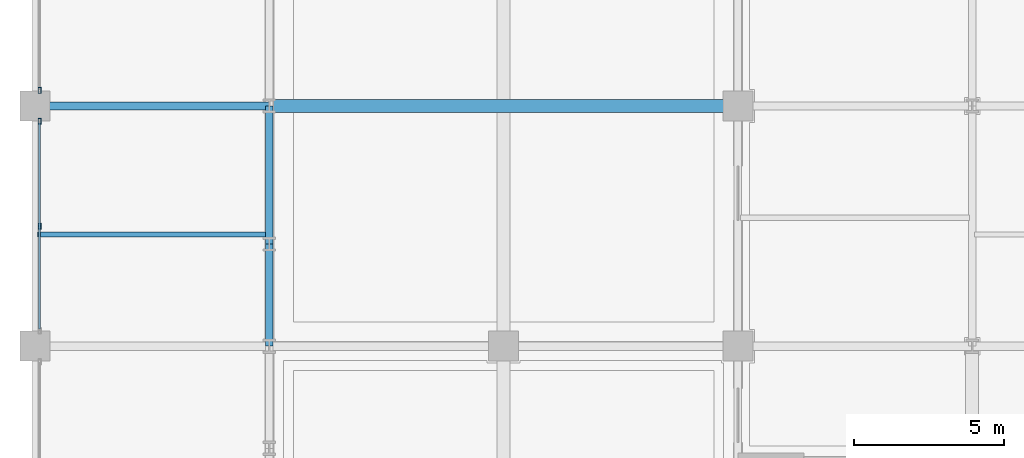
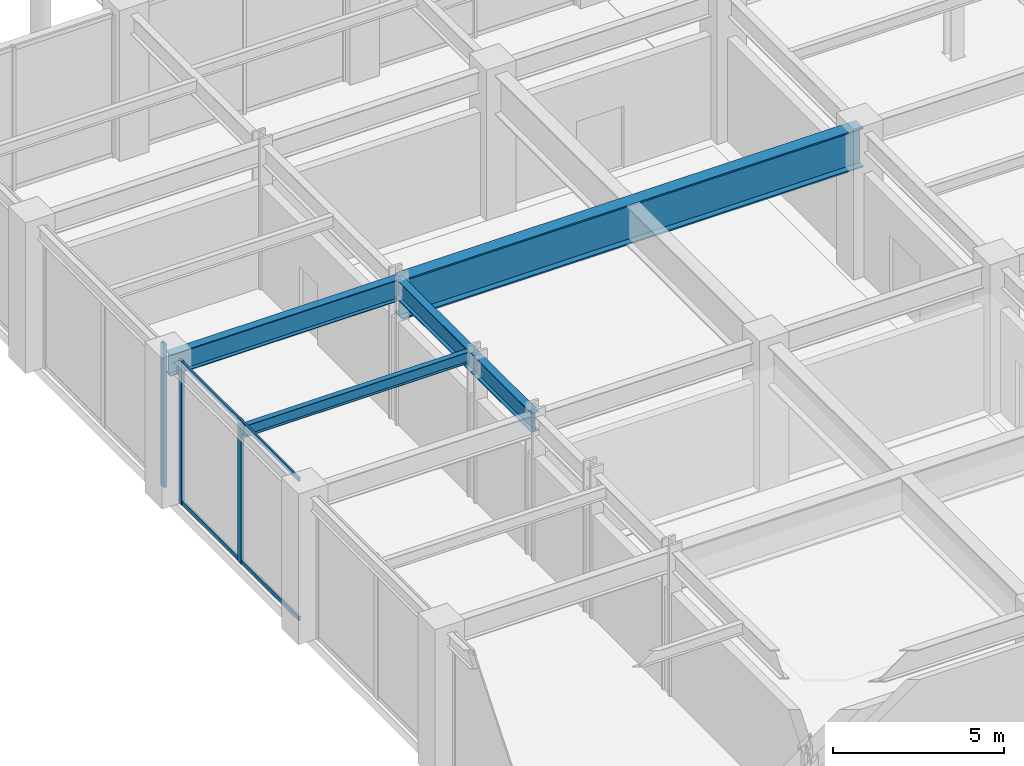
# One storey, part 11 of 27: 5 beams, 5 members, 2 elements without a shape of their own.
"""IFC4 building model written with IfcOpenShell, lengths in metres."""

from ifc_helpers import new_model, si_unit, direction, frame, origin, origin_2d, place, context, subcontext, project, spatial, hollow_rectangle, i_section, extrude, material, layer, layer_set, material_profile, profile_set, type_object, element, aggregate, save


model = new_model("IFC4")

# Units and contexts
model_context = context("Model", 3, precision=1e-05, world=origin(), true_north=direction((0.0, 1.0)))
body_context = subcontext(model_context, "Body", "Model", "MODEL_VIEW")
ifc_project = project(units=[si_unit("LENGTHUNIT", "METRE"), si_unit("AREAUNIT", "SQUARE_METRE"), si_unit("VOLUMEUNIT", "CUBIC_METRE"), si_unit("PLANEANGLEUNIT", "RADIAN"), si_unit("MASSUNIT", "GRAM", prefix="KILO")], contexts=[model_context])

# Site, building, storey
site_placement = place(None, origin())
site = spatial("IfcSite", under=ifc_project, at=site_placement, CompositionType="ELEMENT")
building_placement = place(site_placement, origin())
building = spatial("IfcBuilding", under=site, at=building_placement, Name="Veymaron Broadcast Tower", CompositionType="ELEMENT")
storey_placement = place(building_placement, origin())
storey = spatial("IfcBuildingStorey", under=building, at=storey_placement, Name="L00", CompositionType="ELEMENT", Elevation=0.0)

# Beams
ifc_material_1 = material(Name="Structural steel ASTM A992 Gr 50", Category="steel")
ifc_material_profile_1 = material_profile(ifc_material_1, i_section(OverallWidth=0.177978515625, OverallDepth=0.406982421875, WebThickness=0.0078125, FlangeThickness=0.0126953125, at=origin_2d()), Name="W410X60")
ifc_profile_set_1 = profile_set([ifc_material_profile_1], Name="Structural steel ASTM A992 Gr 50")
beam_type_1 = type_object("IfcBeamType", Name="BM-JS1", PredefinedType="JOIST", material=ifc_profile_set_1)
beam_1_placement = place(storey_placement, frame((0.0849609375, 27.719970703125, 4.91650390625), z_axis=(1.0, 0.0, 0.0), x_axis=(0.0, 1.0, 0.0)))
element("IfcBeam", 1, at=beam_1_placement, inside=storey, type_object=beam_type_1, Name="L00 podium secondary floor joist", PredefinedType="JOIST", context=body_context, shape_type="SweptSolid", body=[
    extrude(i_section(OverallWidth=0.177978515625, OverallDepth=0.406982421875, WebThickness=0.0078125, FlangeThickness=0.0126953125, at=origin_2d()), origin(), (0.0, 0.0, 1.0), 7.630126953125),
])
ifc_material_profile_2 = material_profile(ifc_material_1, i_section(OverallWidth=0.26806640625, OverallDepth=0.77001953125, WebThickness=0.015625, FlangeThickness=0.025390625, at=origin_2d()), Name="W760X196")
ifc_profile_set_2 = profile_set([ifc_material_profile_2], Name="Structural steel ASTM A992 Gr 50")
beam_type_2 = type_object("IfcBeamType", Name="BM-PG1", PredefinedType="BEAM", material=ifc_profile_set_2)
beam_2_placement = place(storey_placement, frame((0.0, 32.0, 4.735107421875), z_axis=(1.0, 0.0, 0.0), x_axis=(0.0, 1.0, 0.0)))
element("IfcBeam", 2, at=beam_2_placement, inside=storey, type_object=beam_type_2, Name="L00 podium primary X-girder", PredefinedType="BEAM", context=body_context, shape_type="SweptSolid", body=[
    extrude(i_section(OverallWidth=0.26806640625, OverallDepth=0.77001953125, WebThickness=0.015625, FlangeThickness=0.025390625, at=origin_2d()), origin(), (0.0, 0.0, 1.0), 7.800048828125),
])
ifc_material_profile_3 = material_profile(ifc_material_1, i_section(OverallWidth=0.256103515625, OverallDepth=0.693115234375, WebThickness=0.014404296875, FlangeThickness=0.023681640625, at=origin_2d()), Name="W690X170")
ifc_profile_set_3 = profile_set([ifc_material_profile_3], Name="Structural steel ASTM A992 Gr 50")
beam_type_3 = type_object("IfcBeamType", Name="BM-PG2", PredefinedType="BEAM", material=ifc_profile_set_3)
beam_3_placement = place(storey_placement, frame((7.800048828125, 24.0, 4.7734375), z_axis=(0.0, 1.0, 0.0), x_axis=(-1.0, 0.0, 0.0)))
element("IfcBeam", 3, at=beam_3_placement, inside=storey, type_object=beam_type_3, Name="L00 podium primary Y-girder", PredefinedType="BEAM", context=body_context, shape_type="SweptSolid", body=[
    extrude(i_section(OverallWidth=0.256103515625, OverallDepth=0.693115234375, WebThickness=0.014404296875, FlangeThickness=0.023681640625, at=origin_2d()), origin(), (0.0, 0.0, 1.0), 3.39990234375),
])
beam_4_placement = place(storey_placement, frame((7.800048828125, 27.39990234375, 4.7734375), z_axis=(0.0, 1.0, 0.0), x_axis=(-1.0, 0.0, 0.0)))
element("IfcBeam", 4, at=beam_4_placement, inside=storey, type_object=beam_type_3, Name="L00 podium primary Y-girder", PredefinedType="BEAM", context=body_context, shape_type="SweptSolid", body=[
    extrude(i_section(OverallWidth=0.256103515625, OverallDepth=0.693115234375, WebThickness=0.014404296875, FlangeThickness=0.023681640625, at=origin_2d()), origin(), (0.0, 0.0, 1.0), 4.60009765625),
])
ifc_material_2 = material(Name="Structural steel ASTM A913 Gr 65", Category="steel")
ifc_material_profile_4 = material_profile(ifc_material_2, i_section(OverallWidth=0.429931640625, OverallDepth=1.419921875, WebThickness=0.030029296875, FlangeThickness=0.050048828125, at=origin_2d()), Name="W1400X550")
ifc_profile_set_4 = profile_set([ifc_material_profile_4], Name="Structural steel ASTM A913 Gr 65")
beam_type_4 = type_object("IfcBeamType", Name="BM-TG0", PredefinedType="BEAM", material=ifc_profile_set_4)
beam_5_placement = place(storey_placement, frame((7.800048828125, 32.0, 4.409912109375), z_axis=(1.0, 0.0, 0.0), x_axis=(0.0, 1.0, 0.0)))
element("IfcBeam", 5, at=beam_5_placement, inside=storey, type_object=beam_type_4, Name="L00 podium primary X-girder", PredefinedType="BEAM", context=body_context, shape_type="SweptSolid", body=[
    extrude(i_section(OverallWidth=0.429931640625, OverallDepth=1.419921875, WebThickness=0.030029296875, FlangeThickness=0.050048828125, at=origin_2d()), origin(), (0.0, 0.0, 1.0), 15.599853515625),
])

# Curtain wall, members
ifc_material_3 = material(Name="Anodised aluminium AA 6063-T6 and laminated low-E dark glass", Category="aluminium")
ifc_layer = layer(ifc_material_3, 0.179931640625)
ifc_layer_set = layer_set([ifc_layer], Name="Anodised aluminium AA 6063-T6 and laminated low-E dark glass")
curtain_wall_type = type_object("IfcCurtainWallType", Name="CW-SYS-01", PredefinedType="NOTDEFINED", material=ifc_layer_set)
curtain_wall_1_placement = place(storey_placement, origin())
curtain_wall_1 = element("IfcCurtainWall", 6, at=curtain_wall_1_placement, inside=storey, type_object=curtain_wall_type, Name="L00 dark-glass curtain wall CW-L00-08", PredefinedType="NOTDEFINED")
ifc_material_4 = material(Name="Anodised aluminium AA 6063-T6", Category="aluminium")
ifc_material_profile_5 = material_profile(ifc_material_4, hollow_rectangle(XDim=0.10009765625, YDim=0.199951171875, WallThickness=0.010009765625, at=origin_2d()), Name="RHS200X100X10")
ifc_profile_set_5 = profile_set([ifc_material_profile_5], Name="Anodised aluminium AA 6063-T6")
member_type_1 = type_object("IfcMemberType", Name="CW-MUL-01", PredefinedType="MULLION", material=ifc_profile_set_5)
member_1_placement = place(storey_placement, frame((0.14990234375, 28.0, 0.0), z_axis=(0.0, 0.0, 1.0), x_axis=(1.0, 0.0, 0.0)))
member_1 = element("IfcMember", 7, at=member_1_placement, type_object=member_type_1, Name="CW-L00-08 mullion 1", PredefinedType="MULLION", context=body_context, shape_type="SweptSolid", body=[
    extrude(hollow_rectangle(XDim=0.10009765625, YDim=0.199951171875, WallThickness=0.010009765625, at=origin_2d()), origin(), (0.0, 0.0, 1.0), 5.1201171875),
])
member_2_placement = place(storey_placement, frame((0.14990234375, 31.48193359375, 0.0), z_axis=(0.0, 0.0, 1.0), x_axis=(1.0, 0.0, 0.0)))
member_2 = element("IfcMember", 8, at=member_2_placement, type_object=member_type_1, Name="CW-L00-08 mullion 2", PredefinedType="MULLION", context=body_context, shape_type="SweptSolid", body=[
    extrude(hollow_rectangle(XDim=0.10009765625, YDim=0.199951171875, WallThickness=0.010009765625, at=origin_2d()), origin(), (0.0, 0.0, 1.0), 5.1201171875),
])

# Curtain wall, member
curtain_wall_2_placement = place(storey_placement, origin())
curtain_wall_2 = element("IfcCurtainWall", 9, at=curtain_wall_2_placement, inside=storey, type_object=curtain_wall_type, Name="L00 dark-glass curtain wall CW-L00-09", PredefinedType="NOTDEFINED")
member_3_placement = place(storey_placement, frame((0.14990234375, 32.51806640625, 0.0), z_axis=(0.0, 0.0, 1.0), x_axis=(1.0, 0.0, 0.0)))
member_3 = element("IfcMember", 10, at=member_3_placement, type_object=member_type_1, Name="CW-L00-09 mullion 0", PredefinedType="MULLION", context=body_context, shape_type="SweptSolid", body=[
    extrude(hollow_rectangle(XDim=0.10009765625, YDim=0.199951171875, WallThickness=0.010009765625, at=origin_2d()), origin(), (0.0, 0.0, 1.0), 5.1201171875),
])
aggregate(curtain_wall_2, [member_3])

# Member
ifc_material_profile_6 = material_profile(ifc_material_4, hollow_rectangle(XDim=0.06494140625, YDim=0.14990234375, WallThickness=0.00390625, at=origin_2d()), Name="AL150X65X4")
ifc_profile_set_6 = profile_set([ifc_material_profile_6], Name="Anodised aluminium AA 6063-T6")
member_type_2 = type_object("IfcMemberType", Name="CW-TRN-01", PredefinedType="USERDEFINED", material=ifc_profile_set_6)
member_4_placement = place(storey_placement, frame((0.14990234375, 24.568115234375, 0.070068359375), z_axis=(0.0, 1.0, 0.0), x_axis=(-1.0, 0.0, 0.0)))
member_4 = element("IfcMember", 11, at=member_4_placement, type_object=member_type_2, Name="CW-L00-08 transom B", ObjectType="TRANSOM", PredefinedType="USERDEFINED", context=body_context, shape_type="SweptSolid", body=[
    extrude(hollow_rectangle(XDim=0.06494140625, YDim=0.14990234375, WallThickness=0.00390625, at=origin_2d()), origin(), (0.0, 0.0, 1.0), 6.86376953125),
])

member_5_placement = place(storey_placement, frame((0.14990234375, 24.568115234375, 5.050048828125), z_axis=(0.0, 1.0, 0.0), x_axis=(-1.0, 0.0, 0.0)))
member_5 = element("IfcMember", 12, at=member_5_placement, type_object=member_type_2, Name="CW-L00-08 transom T", ObjectType="TRANSOM", PredefinedType="USERDEFINED", context=body_context, shape_type="SweptSolid", body=[
    extrude(hollow_rectangle(XDim=0.06494140625, YDim=0.14990234375, WallThickness=0.00390625, at=origin_2d()), origin(), (0.0, 0.0, 1.0), 6.86376953125),
])

aggregate(curtain_wall_1, [member_1, member_2, member_4, member_5])

save(model, "model.ifc")
